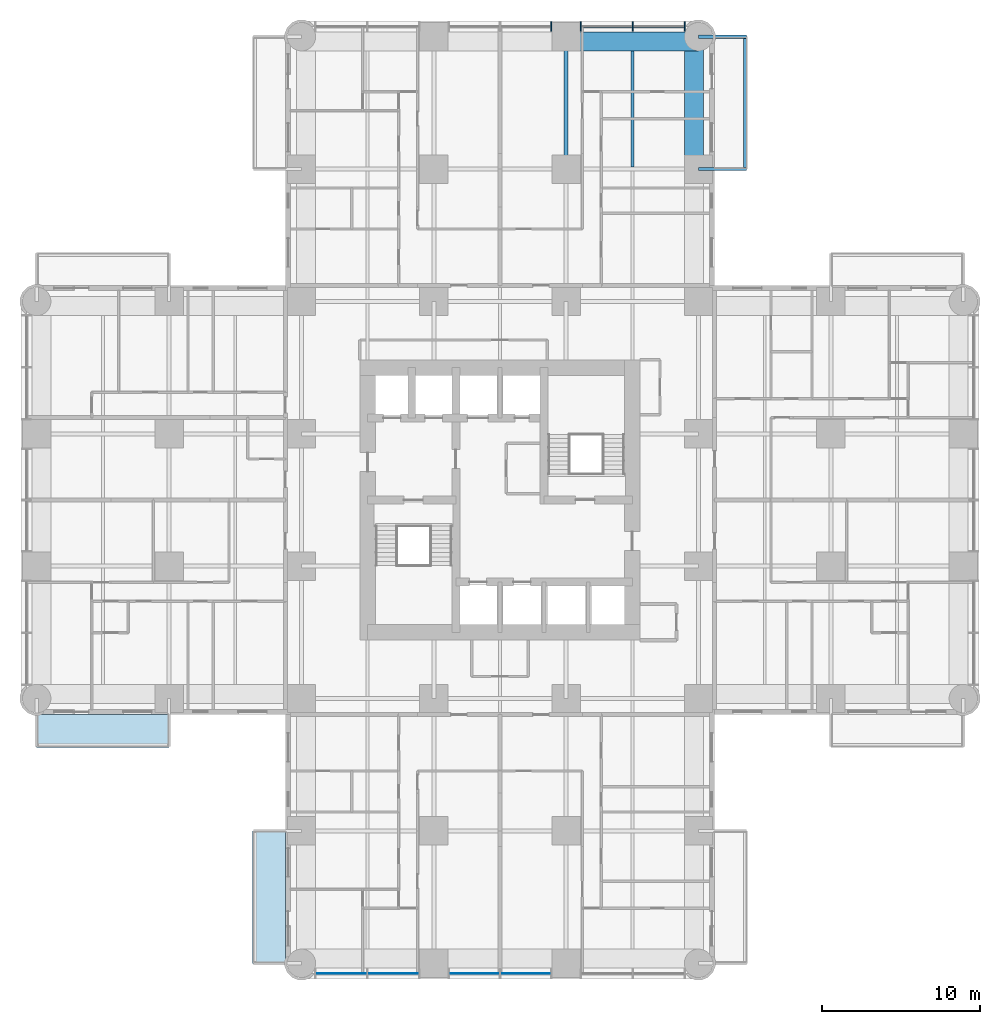
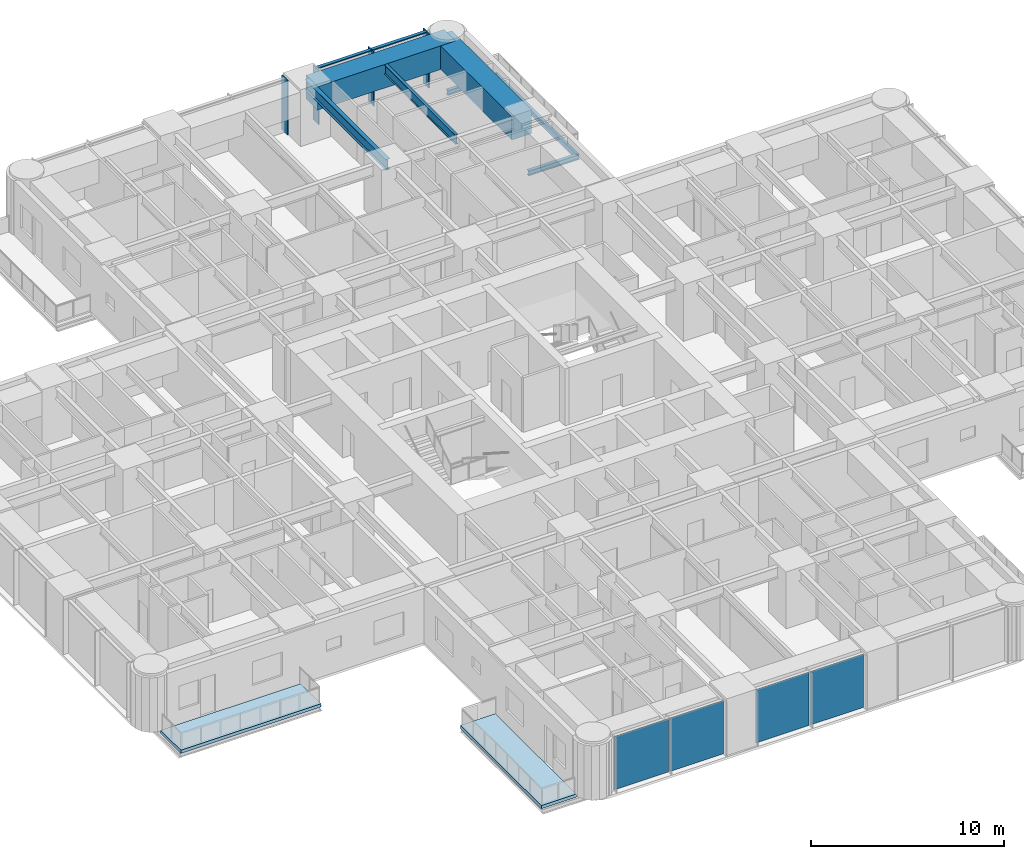
# One storey, part 5 of 17: 7 beams, 6 members, 4 plates, 2 slabs, 2 elements without a shape of their own.
"""IFC4 building model written with IfcOpenShell, lengths in metres."""

from ifc_helpers import new_model, si_unit, direction, frame, origin, origin_2d, place, context, subcontext, project, spatial, polyline, rectangle, i_section, outline, extrude, material, layer, layer_set, material_profile, profile_set, type_object, element, aggregate, save


model = new_model("IFC4")

# Units and contexts
model_context = context("Model", 3, precision=1e-05, world=origin(), true_north=direction((0.0, 1.0)))
body_context = subcontext(model_context, "Body", "Model", "MODEL_VIEW")
ifc_project = project(units=[si_unit("LENGTHUNIT", "METRE"), si_unit("AREAUNIT", "SQUARE_METRE"), si_unit("VOLUMEUNIT", "CUBIC_METRE"), si_unit("PLANEANGLEUNIT", "RADIAN"), si_unit("MASSUNIT", "GRAM", prefix="KILO")], contexts=[model_context])

# Site, building, storey
site_placement = place(None, origin())
site = spatial("IfcSite", under=ifc_project, at=site_placement, CompositionType="ELEMENT")
building_placement = place(site_placement, origin())
building = spatial("IfcBuilding", under=site, at=building_placement, Name="Torre Alcanfor", CompositionType="ELEMENT")
storey_placement = place(building_placement, frame((0.0, 0.0, 41.699951171875)))
storey = spatial("IfcBuildingStorey", under=building, at=storey_placement, Name="L09", CompositionType="ELEMENT", Elevation=41.699951171875)

# Beams
ifc_material_1 = material(Name="Steel ASTM A992 Grade 50", Category="steel")
ifc_material_profile_1 = material_profile(ifc_material_1, i_section(OverallWidth=0.205322265625, OverallDepth=0.309814453125, WebThickness=0.00927734375, FlangeThickness=0.016357421875, at=origin_2d()), Name="W12x50")
ifc_profile_set_1 = profile_set([ifc_material_profile_1], Name="Steel ASTM A992 Grade 50")
beam_type_1 = type_object("IfcBeamType", Name="Balcony cantilever beam W12x50", PredefinedType="BEAM", material=ifc_profile_set_1)
for number, where, z_axis, x_axis, name in (
    (1, (42.0, 50.39990234375, -0.35498046875), (1.0, 0.0, 0.0), (0.0, 1.0, 0.0), "Balcony cantilever beam L09-N2 1"),
    (2, (42.0, 58.800048828125, -0.35498046875), (1.0, 0.0, 0.0), (0.0, 1.0, 0.0), "Balcony cantilever beam L09-N2 2"),
):
    element("IfcBeam", number, at=place(storey_placement, frame(where, z_axis=z_axis, x_axis=x_axis)), inside=storey, type_object=beam_type_1, Name=name, PredefinedType="BEAM", context=body_context, shape_type="SweptSolid", body=[
        extrude(i_section(OverallWidth=0.205322265625, OverallDepth=0.309814453125, WebThickness=0.00927734375, FlangeThickness=0.016357421875, at=origin_2d()), origin(), (0.0, 0.0, 1.0), 3.050048828125),
    ])
ifc_material_2 = material(Name="Steel ASTM A992 Grade 50", Category="steel")
ifc_material_profile_2 = material_profile(ifc_material_2, i_section(OverallWidth=0.203369140625, OverallDepth=0.30224609375, WebThickness=0.007568359375, FlangeThickness=0.01318359375, at=origin_2d()), Name="W12x40")
ifc_profile_set_2 = profile_set([ifc_material_profile_2], Name="Steel ASTM A992 Grade 50")
beam_type_2 = type_object("IfcBeamType", Name="Balcony edge trimmer W12x40", PredefinedType="BEAM", material=ifc_profile_set_2)
beam_1_placement = place(storey_placement, frame((44.9482421875, 50.39990234375, -0.35107421875), z_axis=(0.0, 1.0, 0.0), x_axis=(-1.0, 0.0, 0.0)))
element("IfcBeam", 3, at=beam_1_placement, inside=storey, type_object=beam_type_2, Name="Balcony edge trimmer L09-N2", PredefinedType="BEAM", context=body_context, shape_type="SweptSolid", body=[
    extrude(i_section(OverallWidth=0.203369140625, OverallDepth=0.30224609375, WebThickness=0.007568359375, FlangeThickness=0.01318359375, at=origin_2d()), origin(), (0.0, 0.0, 1.0), 8.400146484375),
])

# Curtain wall, members
ifc_material_3 = material(Name="Aluminium and glass", Category="aluminium")
curtain_wall_type = type_object("IfcCurtainWallType", Name="CW-A unitised apartment glazing with vertical FIN", PredefinedType="NOTDEFINED", material=ifc_material_3)
curtain_wall_1_placement = place(storey_placement, origin())
curtain_wall_1 = element("IfcCurtainWall", 4, at=curtain_wall_1_placement, inside=storey, type_object=curtain_wall_type, Name="Curtain wall CW-A L09 11", PredefinedType="NOTDEFINED")
ifc_material_4 = material(Name="Bronze anodised aluminium", Category="aluminium")
ifc_material_profile_3 = material_profile(ifc_material_4, rectangle(XDim=0.60009765625, YDim=0.06494140625, at=origin_2d()), Name="CW-A mullion 65x600")
ifc_profile_set_3 = profile_set([ifc_material_profile_3], Name="Bronze anodised aluminium")
member_type_1 = type_object("IfcMemberType", Name="CW-A mullion with vertical FIN 65x600", PredefinedType="MULLION", material=ifc_profile_set_3)
member_1_placement = place(storey_placement, frame((41.133056640625, 59.449951171875, 0.0), z_axis=(0.0, 0.0, 1.0), x_axis=(0.0, -1.0, 0.0)))
member_1 = element("IfcMember", 5, at=member_1_placement, type_object=member_type_1, Name="CW-A mullion 1.1", PredefinedType="MULLION", context=body_context, shape_type="SweptSolid", body=[
    extrude(rectangle(XDim=0.60009765625, YDim=0.06494140625, at=origin_2d()), origin(), (0.0, 0.0, 1.0), 3.449951171875),
])
member_2_placement = place(storey_placement, frame((37.835205078125, 59.449951171875, 0.0), z_axis=(0.0, 0.0, 1.0), x_axis=(0.0, -1.0, 0.0)))
member_2 = element("IfcMember", 6, at=member_2_placement, type_object=member_type_1, Name="CW-A mullion 1.2", PredefinedType="MULLION", context=body_context, shape_type="SweptSolid", body=[
    extrude(rectangle(XDim=0.60009765625, YDim=0.06494140625, at=origin_2d()), origin(), (0.0, 0.0, 1.0), 3.449951171875),
])
member_3_placement = place(storey_placement, frame((34.53759765625, 59.449951171875, 0.0), z_axis=(0.0, 0.0, 1.0), x_axis=(0.0, -1.0, 0.0)))
member_3 = element("IfcMember", 7, at=member_3_placement, type_object=member_type_1, Name="CW-A mullion 1.3", PredefinedType="MULLION", context=body_context, shape_type="SweptSolid", body=[
    extrude(rectangle(XDim=0.60009765625, YDim=0.06494140625, at=origin_2d()), origin(), (0.0, 0.0, 1.0), 3.449951171875),
])
member_4_placement = place(storey_placement, frame((32.66259765625, 59.449951171875, 0.0), z_axis=(0.0, 0.0, 1.0), x_axis=(0.0, -1.0, 0.0)))
member_4 = element("IfcMember", 8, at=member_4_placement, type_object=member_type_1, Name="CW-A mullion 2.1", PredefinedType="MULLION", context=body_context, shape_type="SweptSolid", body=[
    extrude(rectangle(XDim=0.60009765625, YDim=0.06494140625, at=origin_2d()), origin(), (0.0, 0.0, 1.0), 3.449951171875),
])
ifc_material_5 = material(Name="Extruded aluminium", Category="aluminium")
ifc_material_profile_4 = material_profile(ifc_material_5, rectangle(XDim=0.199951171875, YDim=0.06494140625, at=origin_2d()), Name="CW-A transom 200x65")
ifc_profile_set_4 = profile_set([ifc_material_profile_4], Name="Extruded aluminium")
member_type_2 = type_object("IfcMemberType", Name="CW-A transom 65x200", PredefinedType="USERDEFINED", material=ifc_profile_set_4)
member_5_placement = place(storey_placement, frame((41.1005859375, 59.449951171875, 3.41748046875), z_axis=(-1.0, 0.0, 0.0), x_axis=(0.0, -1.0, 0.0)))
member_5 = element("IfcMember", 9, at=member_5_placement, type_object=member_type_2, Name="CW-A transom 1.1.2", ObjectType="TRANSOM", PredefinedType="USERDEFINED", context=body_context, shape_type="SweptSolid", body=[
    extrude(rectangle(XDim=0.199951171875, YDim=0.06494140625, at=origin_2d()), origin(), (0.0, 0.0, 1.0), 3.23291015625),
])
member_6_placement = place(storey_placement, frame((37.802734375, 59.449951171875, 3.41748046875), z_axis=(-1.0, 0.0, 0.0), x_axis=(0.0, -1.0, 0.0)))
member_6 = element("IfcMember", 10, at=member_6_placement, type_object=member_type_2, Name="CW-A transom 1.2.2", ObjectType="TRANSOM", PredefinedType="USERDEFINED", context=body_context, shape_type="SweptSolid", body=[
    extrude(rectangle(XDim=0.199951171875, YDim=0.06494140625, at=origin_2d()), origin(), (0.0, 0.0, 1.0), 3.232666015625),
])
aggregate(curtain_wall_1, [member_1, member_2, member_3, member_5, member_6, member_4])

# Beams
ifc_material_6 = material(Name="Steel ASTM A992 Grade 50", Category="steel")
ifc_material_profile_5 = material_profile(ifc_material_6, i_section(OverallWidth=0.25390625, OverallDepth=0.683349609375, WebThickness=0.012451171875, FlangeThickness=0.01904296875, at=origin_2d()), Name="W27x94")
ifc_profile_set_5 = profile_set([ifc_material_profile_5], Name="Steel ASTM A992 Grade 50")
beam_type_3 = type_object("IfcBeamType", Name="Girder W27x94", PredefinedType="BEAM", material=ifc_profile_set_5)
beam_2_placement = place(storey_placement, frame((33.60009765625, 50.39990234375, 3.1083984375), z_axis=(0.0, 1.0, 0.0), x_axis=(-1.0, 0.0, 0.0)))
element("IfcBeam", 11, at=beam_2_placement, inside=storey, type_object=beam_type_3, Name="Beam 5J-5K under L10", PredefinedType="BEAM", context=body_context, shape_type="SweptSolid", body=[
    extrude(i_section(OverallWidth=0.25390625, OverallDepth=0.683349609375, WebThickness=0.012451171875, FlangeThickness=0.01904296875, at=origin_2d()), origin(), (0.0, 0.0, 1.0), 8.400146484375),
])
ifc_material_7 = material(Name="Concrete f'c 70 MPa", Category="concrete")
ifc_material_profile_6 = material_profile(ifc_material_7, rectangle(XDim=1.199951171875, YDim=1.5, at=origin_2d()), Name="1200x1500")
ifc_profile_set_6 = profile_set([ifc_material_profile_6], Name="Concrete f'c 70 MPa")
beam_type_4 = type_object("IfcBeamType", Name="RC perimeter beam 1200x1500", PredefinedType="BEAM", material=ifc_profile_set_6)
for number, where, z_axis, x_axis, name in (
    (12, (33.72705078125, 58.5, 2.699951171875), (1.0, 0.0, 0.0), (0.0, 1.0, 0.0), "Beam 5K-6K under L10"),
    (13, (41.699951171875, 50.527099609375, 2.699951171875), (0.0, 1.0, 0.0), (-1.0, 0.0, 0.0), "Beam 6J-6K under L10"),
):
    element("IfcBeam", number, at=place(storey_placement, frame(where, z_axis=z_axis, x_axis=x_axis)), inside=storey, type_object=beam_type_4, Name=name, PredefinedType="BEAM", context=body_context, shape_type="SweptSolid", body=[
        extrude(rectangle(XDim=1.199951171875, YDim=1.5, at=origin_2d()), origin(), (0.0, 0.0, 1.0), 8.27294921875),
    ])
ifc_material_8 = material(Name="Steel ASTM A992 Grade 50", Category="steel")
ifc_material_profile_7 = material_profile(ifc_material_8, i_section(OverallWidth=0.1787109375, OverallDepth=0.60205078125, WebThickness=0.010986328125, FlangeThickness=0.014892578125, at=origin_2d()), Name="W24x62")
ifc_profile_set_7 = profile_set([ifc_material_profile_7], Name="Steel ASTM A992 Grade 50")
beam_type_5 = type_object("IfcBeamType", Name="Secondary beam W24x62", PredefinedType="BEAM", material=ifc_profile_set_7)
beam_3_placement = place(storey_placement, frame((37.800048828125, 50.527099609375, 3.149169921875), z_axis=(0.0, 1.0, 0.0), x_axis=(-1.0, 0.0, 0.0)))
element("IfcBeam", 14, at=beam_3_placement, inside=storey, type_object=beam_type_5, Name="Beam 37_8J-37_8K under L10", PredefinedType="BEAM", context=body_context, shape_type="SweptSolid", body=[
    extrude(i_section(OverallWidth=0.1787109375, OverallDepth=0.60205078125, WebThickness=0.010986328125, FlangeThickness=0.014892578125, at=origin_2d()), origin(), (0.0, 0.0, 1.0), 7.372802734375),
])

# Slabs
ifc_material_9 = material(Name="Concrete f'c 35 MPa", Category="concrete")
ifc_layer_1 = layer(ifc_material_9, 0.199951171875)
ifc_layer_set_1 = layer_set([ifc_layer_1], Name="Balcony slab 200")
slab_type = type_object("IfcSlabType", Name="Balcony slab 200", PredefinedType="FLOOR", material=ifc_layer_set_1)
slab_1_placement = place(storey_placement, frame((0.0, 0.0, -0.199951171875)))
element("IfcSlab", 15, at=slab_1_placement, inside=storey, type_object=slab_type, Name="Balcony L09-S2", PredefinedType="FLOOR", context=body_context, shape_type="SweptSolid", body=[
    extrude(outline(polyline([(13.699951171875, 8.39990234375), (13.699951171875, 0.0), (15.800048828125, 0.0), (15.800048828125, 8.39990234375), (13.699951171875, 8.39990234375)])), origin(), (0.0, 0.0, 1.0), 0.199951171875),
])
slab_2_placement = place(storey_placement, frame((0.0, 0.0, -0.199951171875)))
element("IfcSlab", 16, at=slab_2_placement, inside=storey, type_object=slab_type, Name="Balcony L09-W1", PredefinedType="FLOOR", context=body_context, shape_type="SweptSolid", body=[
    extrude(outline(polyline([(8.39990234375, 15.800048828125), (0.0, 15.800048828125), (0.0, 13.699951171875), (8.39990234375, 13.699951171875), (8.39990234375, 15.800048828125)])), origin(), (0.0, 0.0, 1.0), 0.199951171875),
])

# Curtain wall, plates
curtain_wall_2_placement = place(storey_placement, origin())
curtain_wall_2 = element("IfcCurtainWall", 17, at=curtain_wall_2_placement, inside=storey, type_object=curtain_wall_type, Name="Curtain wall CW-A L09 5", PredefinedType="NOTDEFINED")
ifc_material_10 = material(Name="Glass", Category="glass")
ifc_layer_2 = layer(ifc_material_10, 0.028076171875)
ifc_layer_set_2 = layer_set([ifc_layer_2], Name="CW-A clear double glazed unit")
plate_type = type_object("IfcPlateType", Name="CW-A clear double glazed unit", PredefinedType="CURTAIN_PANEL", material=ifc_layer_set_2)
plate_1_placement = place(storey_placement, frame((19.31591796875, -0.64990234375, 0.0), z_axis=(0.0, 0.0, 1.0), x_axis=(1.0, 0.0, 0.0)))
plate_1 = element("IfcPlate", 18, at=plate_1_placement, type_object=plate_type, Name="CW-A panel 1.1.1", PredefinedType="CURTAIN_PANEL", context=body_context, shape_type="SweptSolid", body=[
    extrude(rectangle(XDim=3.232666015625, YDim=0.028076171875, at=origin_2d()), origin(), (0.0, 0.0, 1.0), 3.385009765625),
])
plate_2_placement = place(storey_placement, frame((22.613525390625, -0.64990234375, 0.0), z_axis=(0.0, 0.0, 1.0), x_axis=(1.0, 0.0, 0.0)))
plate_2 = element("IfcPlate", 19, at=plate_2_placement, type_object=plate_type, Name="CW-A panel 1.2.1", PredefinedType="CURTAIN_PANEL", context=body_context, shape_type="SweptSolid", body=[
    extrude(rectangle(XDim=3.232666015625, YDim=0.028076171875, at=origin_2d()), origin(), (0.0, 0.0, 1.0), 3.385009765625),
])
plate_3_placement = place(storey_placement, frame((27.768798828125, -0.64990234375, 0.0), z_axis=(0.0, 0.0, 1.0), x_axis=(1.0, 0.0, 0.0)))
plate_3 = element("IfcPlate", 20, at=plate_3_placement, type_object=plate_type, Name="CW-A panel 2.1.1", PredefinedType="CURTAIN_PANEL", context=body_context, shape_type="SweptSolid", body=[
    extrude(rectangle(XDim=3.197509765625, YDim=0.028076171875, at=origin_2d()), origin(), (0.0, 0.0, 1.0), 3.385009765625),
])
plate_4_placement = place(storey_placement, frame((31.03125, -0.64990234375, 0.0), z_axis=(0.0, 0.0, 1.0), x_axis=(1.0, 0.0, 0.0)))
plate_4 = element("IfcPlate", 21, at=plate_4_placement, type_object=plate_type, Name="CW-A panel 2.2.1", PredefinedType="CURTAIN_PANEL", context=body_context, shape_type="SweptSolid", body=[
    extrude(rectangle(XDim=3.197509765625, YDim=0.028076171875, at=origin_2d()), origin(), (0.0, 0.0, 1.0), 3.385009765625),
])
aggregate(curtain_wall_2, [plate_1, plate_2, plate_3, plate_4])

save(model, "model.ifc")
